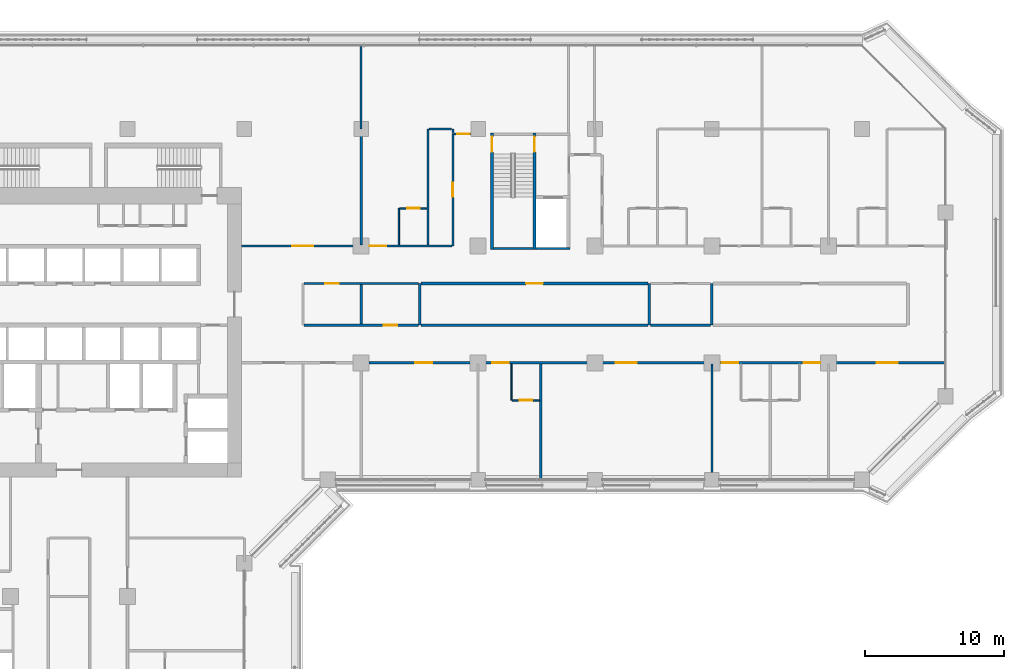
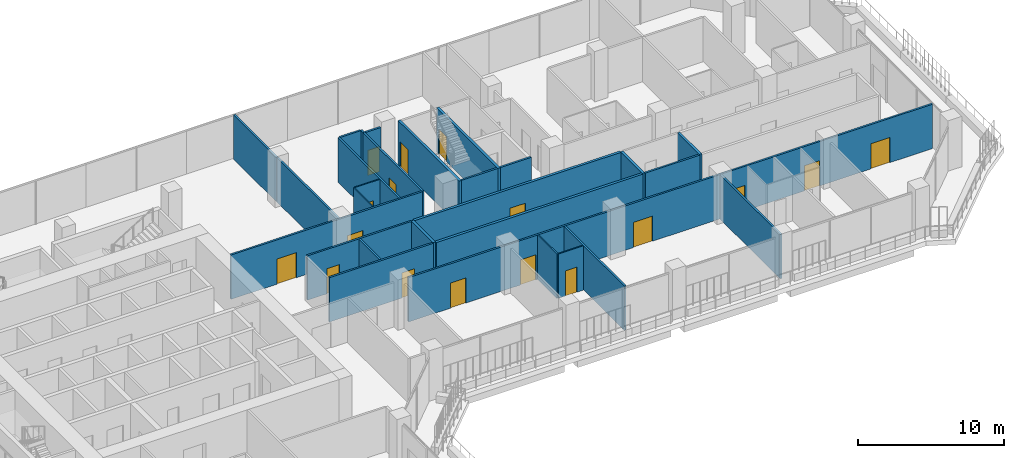
# One storey, part 14 of 23: 28 walls, 17 doors, 17 openings.
"""IFC4 building model written with IfcOpenShell, lengths in metres."""

from ifc_helpers import new_model, si_unit, direction, frame, frame_2d, origin, place, context, subcontext, project, spatial, rectangle, extrude, material, layer, layer_set, type_object, element, fill, save


model = new_model("IFC4")

# Units and contexts
model_context = context("Model", 3, precision=1e-05, world=origin(), true_north=direction((0.0, 1.0)))
body_context = subcontext(model_context, "Body", "Model", "MODEL_VIEW")
ifc_project = project(units=[si_unit("LENGTHUNIT", "METRE"), si_unit("AREAUNIT", "SQUARE_METRE"), si_unit("VOLUMEUNIT", "CUBIC_METRE"), si_unit("PLANEANGLEUNIT", "RADIAN"), si_unit("MASSUNIT", "GRAM", prefix="KILO")], contexts=[model_context])

# Site, building, storey
site_placement = place(None, origin())
site = spatial("IfcSite", under=ifc_project, at=site_placement, CompositionType="ELEMENT")
building_placement = place(site_placement, origin())
building = spatial("IfcBuilding", under=site, at=building_placement, Name="Kawkab Arch Medical Tower", CompositionType="ELEMENT")
storey_placement = place(building_placement, frame((0.0, 0.0, 149.199951171875)))
storey = spatial("IfcBuildingStorey", under=building, at=storey_placement, Name="L34", CompositionType="ELEMENT", Elevation=149.199951171875)

# Wall, opening, door
ifc_material_1 = material(Name="Gypsum board partition on steel studs", Category="steel")
ifc_layer_1 = layer(ifc_material_1, 0.10009765625)
ifc_layer_set_1 = layer_set([ifc_layer_1], Name="Gypsum board partition on steel studs")
wall_type_1 = type_object("IfcWallType", Name="Partition 100", PredefinedType="PARTITIONING", material=ifc_layer_set_1)
wall_1_placement = place(storey_placement, frame((44.449951171875, -19.5, 0.0), z_axis=(0.0, 0.0, 1.0), x_axis=(1.0, 0.0, 0.0)))
wall_1 = element("IfcWall", 1, at=wall_1_placement, inside=storey, type_object=wall_type_1, Name="Partition 100 w005", PredefinedType="PARTITIONING", context=body_context, shape_type="SweptSolid", body=[
    extrude(rectangle(XDim=1.97509765625, YDim=0.10009765625, at=frame_2d((0.987548828125, 0.0))), origin(), (0.0, 0.0, 1.0), 3.699951171875),
])
opening_1_placement = place(wall_1_placement, frame((0.550048828125, 0.0, 0.0)))
opening_1 = element("IfcOpeningElement", 2, at=opening_1_placement, cuts=wall_1, Name="Opening W29-015", PredefinedType="OPENING", context=body_context, shape_type="SweptSolid", body=[
    extrude(rectangle(XDim=0.89990234375, YDim=2.10009765625, at=frame_2d((0.449951171875, 1.050048828125))), frame((0.0, 0.06005859375, 0.0), z_axis=(0.0, -1.0, 0.0), x_axis=(1.0, 0.0, 0.0)), (0.0, 0.0, 1.0), 0.1201171875),
])
ifc_material_2 = material(Name="Timber door leaf", Category="wood")
door_type_1 = type_object("IfcDoorType", Name="Single door 900x2100", OperationType="NOTDEFINED", PredefinedType="DOOR", material=ifc_material_2)
door_1_placement = place(opening_1_placement, origin())
door_1 = element("IfcDoor", 3, at=door_1_placement, inside=storey, type_object=door_type_1, Name="Door W29-015", OperationType="SINGLE_SWING_LEFT", OverallHeight=2.10009765625, OverallWidth=0.89990234375, PredefinedType="DOOR", context=body_context, shape_type="SweptSolid", body=[
    extrude(rectangle(XDim=0.89990234375, YDim=2.10009765625, at=frame_2d((0.449951171875, 1.050048828125))), frame((0.0, 0.02490234375, 0.0), z_axis=(0.0, -1.0, 0.0), x_axis=(1.0, 0.0, 0.0)), (0.0, 0.0, 1.0), 0.050048828125),
])
fill(opening_1, door_1)

wall_2_placement = place(storey_placement, frame((36.35205078125, -5.699951171875, 0.0), z_axis=(0.0, 0.0, 1.0), x_axis=(1.0, 0.0, 0.0)))
wall_2 = element("IfcWall", 4, at=wall_2_placement, inside=storey, type_object=wall_type_1, Name="Partition 100 w007", PredefinedType="PARTITIONING", context=body_context, shape_type="SweptSolid", body=[
    extrude(rectangle(XDim=1.972900390625, YDim=0.10009765625, at=frame_2d((0.986328125, 0.0))), origin(), (0.0, 0.0, 1.0), 3.699951171875),
])
opening_2_placement = place(wall_2_placement, frame((0.549072265625, 0.0, 0.0)))
opening_2 = element("IfcOpeningElement", 5, at=opening_2_placement, cuts=wall_2, Name="Opening W29-009", PredefinedType="OPENING", context=body_context, shape_type="SweptSolid", body=[
    extrude(rectangle(XDim=0.89990234375, YDim=2.10009765625, at=frame_2d((0.449951171875, 1.050048828125))), frame((0.0, 0.06005859375, 0.0), z_axis=(0.0, -1.0, 0.0), x_axis=(1.0, 0.0, 0.0)), (0.0, 0.0, 1.0), 0.1201171875),
])
door_2_placement = place(opening_2_placement, origin())
door_2 = element("IfcDoor", 6, at=door_2_placement, inside=storey, type_object=door_type_1, Name="Door W29-009", OperationType="SINGLE_SWING_RIGHT", OverallHeight=2.10009765625, OverallWidth=0.89990234375, PredefinedType="DOOR", context=body_context, shape_type="SweptSolid", body=[
    extrude(rectangle(XDim=0.89990234375, YDim=2.10009765625, at=frame_2d((0.449951171875, 1.050048828125))), frame((0.0, 0.02490234375, 0.0), z_axis=(0.0, -1.0, 0.0), x_axis=(1.0, 0.0, 0.0)), (0.0, 0.0, 1.0), 0.050048828125),
])
fill(opening_2, door_2)

# Walls
wall_3_placement = place(storey_placement, frame((36.300048828125, -8.324951171875, 0.0), z_axis=(0.0, 0.0, 1.0), x_axis=(0.0, 1.0, 0.0)))
element("IfcWall", 7, at=wall_3_placement, inside=storey, type_object=wall_type_1, Name="Partition 100 w014", PredefinedType="PARTITIONING", context=body_context, shape_type="SweptSolid", body=[
    extrude(rectangle(XDim=2.6240234375, YDim=0.10009765625, at=frame_2d((1.31201171875, 0.0))), origin(), (0.0, 0.0, 1.0), 3.699951171875),
])
wall_4_placement = place(storey_placement, frame((44.39990234375, -19.5, 0.0), z_axis=(0.0, 0.0, 1.0), x_axis=(0.0, 1.0, 0.0)))
element("IfcWall", 8, at=wall_4_placement, inside=storey, type_object=wall_type_1, Name="Partition 100 w015", PredefinedType="PARTITIONING", context=body_context, shape_type="SweptSolid", body=[
    extrude(rectangle(XDim=2.625, YDim=0.10009765625, at=frame_2d((1.3125, 0.0))), origin(), (0.0, 0.0, 1.0), 3.699951171875),
])

# Wall, openings, doors
ifc_material_3 = material(Name="Gypsum board partition on steel studs, mineral wool", Category="steel")
ifc_layer_2 = layer(ifc_material_3, 0.14990234375)
ifc_layer_set_2 = layer_set([ifc_layer_2], Name="Gypsum board partition on steel studs, mineral wool")
wall_type_2 = type_object("IfcWallType", Name="Partition 150", PredefinedType="PARTITIONING", material=ifc_layer_set_2)
wall_5_placement = place(storey_placement, frame((34.175048828125, -16.800048828125, 0.0), z_axis=(0.0, 0.0, 1.0), x_axis=(1.0, 0.0, 0.0)))
wall_5 = element("IfcWall", 9, at=wall_5_placement, inside=storey, type_object=wall_type_2, Name="Partition 150 w037", PredefinedType="PARTITIONING", context=body_context, shape_type="SweptSolid", body=[
    extrude(rectangle(XDim=41.344970703125, YDim=0.14990234375, at=frame_2d((20.67236328125, 0.0))), origin(), (0.0, 0.0, 1.0), 3.699951171875),
])
opening_3_placement = place(wall_5_placement, frame((3.31201171875, 0.0, 0.0)))
opening_3 = element("IfcOpeningElement", 10, at=opening_3_placement, cuts=wall_5, Name="Opening W29-040", PredefinedType="OPENING", context=body_context, shape_type="SweptSolid", body=[
    extrude(rectangle(XDim=1.199951171875, YDim=2.10009765625, at=frame_2d((0.60009765625, 1.050048828125))), frame((0.0, 0.0849609375, 0.0), z_axis=(0.0, -1.0, 0.0), x_axis=(1.0, 0.0, 0.0)), (0.0, 0.0, 1.0), 0.169921875),
])
opening_4_placement = place(wall_5_placement, frame((8.824951171875, 0.0, 0.0)))
opening_4 = element("IfcOpeningElement", 11, at=opening_4_placement, cuts=wall_5, Name="Opening W29-041", PredefinedType="OPENING", context=body_context, shape_type="SweptSolid", body=[
    extrude(rectangle(XDim=1.199951171875, YDim=2.10009765625, at=frame_2d((0.60009765625, 1.050048828125))), frame((0.0, 0.0849609375, 0.0), z_axis=(0.0, -1.0, 0.0), x_axis=(1.0, 0.0, 0.0)), (0.0, 0.0, 1.0), 0.169921875),
])
opening_5_placement = place(wall_5_placement, frame((17.72509765625, 0.0, 0.0)))
opening_5 = element("IfcOpeningElement", 12, at=opening_5_placement, cuts=wall_5, Name="Opening W29-003", PredefinedType="OPENING", context=body_context, shape_type="SweptSolid", body=[
    extrude(rectangle(XDim=1.5, YDim=2.10009765625, at=frame_2d((0.75, 1.050048828125))), frame((0.0, 0.0849609375, 0.0), z_axis=(0.0, -1.0, 0.0), x_axis=(1.0, 0.0, 0.0)), (0.0, 0.0, 1.0), 0.169921875),
])
opening_6_placement = place(wall_5_placement, frame((25.324951171875, 0.0, 0.0)))
opening_6 = element("IfcOpeningElement", 13, at=opening_6_placement, cuts=wall_5, Name="Opening W29-042", PredefinedType="OPENING", context=body_context, shape_type="SweptSolid", body=[
    extrude(rectangle(XDim=1.199951171875, YDim=2.10009765625, at=frame_2d((0.60009765625, 1.050048828125))), frame((0.0, 0.0849609375, 0.0), z_axis=(0.0, -1.0, 0.0), x_axis=(1.0, 0.0, 0.0)), (0.0, 0.0, 1.0), 0.169921875),
])
opening_7_placement = place(wall_5_placement, frame((31.22509765625, 0.0, 0.0)))
opening_7 = element("IfcOpeningElement", 14, at=opening_7_placement, cuts=wall_5, Name="Opening W29-043", PredefinedType="OPENING", context=body_context, shape_type="SweptSolid", body=[
    extrude(rectangle(XDim=1.199951171875, YDim=2.10009765625, at=frame_2d((0.60009765625, 1.050048828125))), frame((0.0, 0.0849609375, 0.0), z_axis=(0.0, -1.0, 0.0), x_axis=(1.0, 0.0, 0.0)), (0.0, 0.0, 1.0), 0.169921875),
])
opening_8_placement = place(wall_5_placement, frame((36.47509765625, 0.0, 0.0)))
opening_8 = element("IfcOpeningElement", 15, at=opening_8_placement, cuts=wall_5, Name="Opening W29-004", PredefinedType="OPENING", context=body_context, shape_type="SweptSolid", body=[
    extrude(rectangle(XDim=1.5, YDim=2.10009765625, at=frame_2d((0.75, 1.050048828125))), frame((0.0, 0.0849609375, 0.0), z_axis=(0.0, -1.0, 0.0), x_axis=(1.0, 0.0, 0.0)), (0.0, 0.0, 1.0), 0.169921875),
])
ifc_material_4 = material(Name="Hollow metal door leaf")
door_type_2 = type_object("IfcDoorType", Name="Double door 1500x2100 FD30S", OperationType="NOTDEFINED", PredefinedType="DOOR", material=ifc_material_4)
door_3_placement = place(opening_5_placement, origin())
door_3 = element("IfcDoor", 16, at=door_3_placement, inside=storey, type_object=door_type_2, Name="Door W29-003", OperationType="DOUBLE_DOOR_SINGLE_SWING", OverallHeight=2.10009765625, OverallWidth=1.5, PredefinedType="DOOR", context=body_context, shape_type="SweptSolid", body=[
    extrude(rectangle(XDim=1.5, YDim=2.10009765625, at=frame_2d((0.75, 1.050048828125))), frame((0.0, 0.02490234375, 0.0), z_axis=(0.0, -1.0, 0.0), x_axis=(1.0, 0.0, 0.0)), (0.0, 0.0, 1.0), 0.050048828125),
])
fill(opening_5, door_3)
door_4_placement = place(opening_8_placement, origin())
door_4 = element("IfcDoor", 17, at=door_4_placement, inside=storey, type_object=door_type_2, Name="Door W29-004", OperationType="DOUBLE_DOOR_SINGLE_SWING", OverallHeight=2.10009765625, OverallWidth=1.5, PredefinedType="DOOR", context=body_context, shape_type="SweptSolid", body=[
    extrude(rectangle(XDim=1.5, YDim=2.10009765625, at=frame_2d((0.75, 1.050048828125))), frame((0.0, 0.02490234375, 0.0), z_axis=(0.0, -1.0, 0.0), x_axis=(1.0, 0.0, 0.0)), (0.0, 0.0, 1.0), 0.050048828125),
])
fill(opening_8, door_4)
ifc_material_5 = material(Name="Hollow metal door leaf")
door_type_3 = type_object("IfcDoorType", Name="Single door 1200x2100 FD30S", OperationType="NOTDEFINED", PredefinedType="DOOR", material=ifc_material_5)
door_5_placement = place(opening_3_placement, origin())
door_5 = element("IfcDoor", 18, at=door_5_placement, inside=storey, type_object=door_type_3, Name="Door W29-040", OperationType="SINGLE_SWING_RIGHT", OverallHeight=2.10009765625, OverallWidth=1.199951171875, PredefinedType="DOOR", context=body_context, shape_type="SweptSolid", body=[
    extrude(rectangle(XDim=1.199951171875, YDim=2.10009765625, at=frame_2d((0.60009765625, 1.050048828125))), frame((0.0, 0.02490234375, 0.0), z_axis=(0.0, -1.0, 0.0), x_axis=(1.0, 0.0, 0.0)), (0.0, 0.0, 1.0), 0.050048828125),
])
fill(opening_3, door_5)
door_6_placement = place(opening_4_placement, origin())
door_6 = element("IfcDoor", 19, at=door_6_placement, inside=storey, type_object=door_type_3, Name="Door W29-041", OperationType="SINGLE_SWING_RIGHT", OverallHeight=2.10009765625, OverallWidth=1.199951171875, PredefinedType="DOOR", context=body_context, shape_type="SweptSolid", body=[
    extrude(rectangle(XDim=1.199951171875, YDim=2.10009765625, at=frame_2d((0.60009765625, 1.050048828125))), frame((0.0, 0.02490234375, 0.0), z_axis=(0.0, -1.0, 0.0), x_axis=(1.0, 0.0, 0.0)), (0.0, 0.0, 1.0), 0.050048828125),
])
fill(opening_4, door_6)
door_7_placement = place(opening_6_placement, origin())
door_7 = element("IfcDoor", 20, at=door_7_placement, inside=storey, type_object=door_type_3, Name="Door W29-042", OperationType="SINGLE_SWING_LEFT", OverallHeight=2.10009765625, OverallWidth=1.199951171875, PredefinedType="DOOR", context=body_context, shape_type="SweptSolid", body=[
    extrude(rectangle(XDim=1.199951171875, YDim=2.10009765625, at=frame_2d((0.60009765625, 1.050048828125))), frame((0.0, 0.02490234375, 0.0), z_axis=(0.0, -1.0, 0.0), x_axis=(1.0, 0.0, 0.0)), (0.0, 0.0, 1.0), 0.050048828125),
])
fill(opening_6, door_7)
door_8_placement = place(opening_7_placement, origin())
door_8 = element("IfcDoor", 21, at=door_8_placement, inside=storey, type_object=door_type_3, Name="Door W29-043", OperationType="SINGLE_SWING_LEFT", OverallHeight=2.10009765625, OverallWidth=1.199951171875, PredefinedType="DOOR", context=body_context, shape_type="SweptSolid", body=[
    extrude(rectangle(XDim=1.199951171875, YDim=2.10009765625, at=frame_2d((0.60009765625, 1.050048828125))), frame((0.0, 0.02490234375, 0.0), z_axis=(0.0, -1.0, 0.0), x_axis=(1.0, 0.0, 0.0)), (0.0, 0.0, 1.0), 0.050048828125),
])
fill(opening_7, door_8)

# Wall, opening, door
wall_6_placement = place(storey_placement, frame((29.47509765625, -14.10009765625, 0.0), z_axis=(0.0, 0.0, 1.0), x_axis=(1.0, 0.0, 0.0)))
wall_6 = element("IfcWall", 22, at=wall_6_placement, inside=storey, type_object=wall_type_2, Name="Partition 150 w038", PredefinedType="PARTITIONING", context=body_context, shape_type="SweptSolid", body=[
    extrude(rectangle(XDim=8.224853515625, YDim=0.14990234375, at=frame_2d((4.1123046875, 0.0))), origin(), (0.0, 0.0, 1.0), 3.699951171875),
])
opening_9_placement = place(wall_6_placement, frame((5.72509765625, 0.0, 0.0)))
opening_9 = element("IfcOpeningElement", 23, at=opening_9_placement, cuts=wall_6, Name="Opening W29-030", PredefinedType="OPENING", context=body_context, shape_type="SweptSolid", body=[
    extrude(rectangle(XDim=1.0, YDim=2.10009765625, at=frame_2d((0.5, 1.050048828125))), frame((0.0, 0.0849609375, 0.0), z_axis=(0.0, -1.0, 0.0), x_axis=(1.0, 0.0, 0.0)), (0.0, 0.0, 1.0), 0.169921875),
])
ifc_material_6 = material(Name="Hollow metal door leaf")
door_type_4 = type_object("IfcDoorType", Name="Single door 1000x2100 FD30S", OperationType="NOTDEFINED", PredefinedType="DOOR", material=ifc_material_6)
door_9_placement = place(opening_9_placement, origin())
door_9 = element("IfcDoor", 24, at=door_9_placement, inside=storey, type_object=door_type_4, Name="Door W29-030", OperationType="SINGLE_SWING_RIGHT", OverallHeight=2.10009765625, OverallWidth=1.0, PredefinedType="DOOR", context=body_context, shape_type="SweptSolid", body=[
    extrude(rectangle(XDim=1.0, YDim=2.10009765625, at=frame_2d((0.5, 1.050048828125))), frame((0.0, 0.02490234375, 0.0), z_axis=(0.0, -1.0, 0.0), x_axis=(1.0, 0.0, 0.0)), (0.0, 0.0, 1.0), 0.050048828125),
])
fill(opening_9, door_9)

# Wall
wall_7_placement = place(storey_placement, frame((54.39990234375, -14.10009765625, 0.0), z_axis=(0.0, 0.0, 1.0), x_axis=(1.0, 0.0, 0.0)))
element("IfcWall", 25, at=wall_7_placement, inside=storey, type_object=wall_type_2, Name="Partition 150 w039", PredefinedType="PARTITIONING", context=body_context, shape_type="SweptSolid", body=[
    extrude(rectangle(XDim=4.300048828125, YDim=0.14990234375, at=frame_2d((2.14990234375, 0.0))), origin(), (0.0, 0.0, 1.0), 3.699951171875),
])

# Wall, opening, door
wall_8_placement = place(storey_placement, frame((29.47509765625, -11.10009765625, 0.0), z_axis=(0.0, 0.0, 1.0), x_axis=(1.0, 0.0, 0.0)))
wall_8 = element("IfcWall", 26, at=wall_8_placement, inside=storey, type_object=wall_type_2, Name="Partition 150 w040", PredefinedType="PARTITIONING", context=body_context, shape_type="SweptSolid", body=[
    extrude(rectangle(XDim=8.224853515625, YDim=0.14990234375, at=frame_2d((4.1123046875, 0.0))), origin(), (0.0, 0.0, 1.0), 3.699951171875),
])
opening_10_placement = place(wall_8_placement, frame((1.52490234375, 0.0, 0.0)))
opening_10 = element("IfcOpeningElement", 27, at=opening_10_placement, cuts=wall_8, Name="Opening W29-029", PredefinedType="OPENING", context=body_context, shape_type="SweptSolid", body=[
    extrude(rectangle(XDim=1.0, YDim=2.10009765625, at=frame_2d((0.5, 1.050048828125))), frame((0.0, 0.0849609375, 0.0), z_axis=(0.0, -1.0, 0.0), x_axis=(1.0, 0.0, 0.0)), (0.0, 0.0, 1.0), 0.169921875),
])
door_10_placement = place(opening_10_placement, origin())
door_10 = element("IfcDoor", 28, at=door_10_placement, inside=storey, type_object=door_type_4, Name="Door W29-029", OperationType="SINGLE_SWING_RIGHT", OverallHeight=2.10009765625, OverallWidth=1.0, PredefinedType="DOOR", context=body_context, shape_type="SweptSolid", body=[
    extrude(rectangle(XDim=1.0, YDim=2.10009765625, at=frame_2d((0.5, 1.050048828125))), frame((0.0, 0.02490234375, 0.0), z_axis=(0.0, -1.0, 0.0), x_axis=(1.0, 0.0, 0.0)), (0.0, 0.0, 1.0), 0.050048828125),
])
fill(opening_10, door_10)

# Wall, openings, doors
wall_9_placement = place(storey_placement, frame((25.0, -8.39990234375, 0.0), z_axis=(0.0, 0.0, 1.0), x_axis=(1.0, 0.0, 0.0)))
wall_9 = element("IfcWall", 29, at=wall_9_placement, inside=storey, type_object=wall_type_2, Name="Partition 150 w042", PredefinedType="PARTITIONING", context=body_context, shape_type="SweptSolid", body=[
    extrude(rectangle(XDim=15.10693359375, YDim=0.14990234375, at=frame_2d((7.553466796875, 0.0))), origin(), (0.0, 0.0, 1.0), 3.699951171875),
])
opening_11_placement = place(wall_9_placement, frame((3.64990234375, 0.0, 0.0)))
opening_11 = element("IfcOpeningElement", 30, at=opening_11_placement, cuts=wall_9, Name="Opening W29-002", PredefinedType="OPENING", context=body_context, shape_type="SweptSolid", body=[
    extrude(rectangle(XDim=1.5, YDim=2.10009765625, at=frame_2d((0.75, 1.050048828125))), frame((0.0, 0.0849609375, 0.0), z_axis=(0.0, -1.0, 0.0), x_axis=(1.0, 0.0, 0.0)), (0.0, 0.0, 1.0), 0.169921875),
])
opening_12_placement = place(wall_9_placement, frame((9.199951171875, 0.0, 0.0)))
opening_12 = element("IfcOpeningElement", 31, at=opening_12_placement, cuts=wall_9, Name="Opening W29-033", PredefinedType="OPENING", context=body_context, shape_type="SweptSolid", body=[
    extrude(rectangle(XDim=1.199951171875, YDim=2.10009765625, at=frame_2d((0.60009765625, 1.050048828125))), frame((0.0, 0.0849609375, 0.0), z_axis=(0.0, -1.0, 0.0), x_axis=(1.0, 0.0, 0.0)), (0.0, 0.0, 1.0), 0.169921875),
])
door_11_placement = place(opening_11_placement, origin())
door_11 = element("IfcDoor", 32, at=door_11_placement, inside=storey, type_object=door_type_2, Name="Door W29-002", OperationType="DOUBLE_DOOR_SINGLE_SWING", OverallHeight=2.10009765625, OverallWidth=1.5, PredefinedType="DOOR", context=body_context, shape_type="SweptSolid", body=[
    extrude(rectangle(XDim=1.5, YDim=2.10009765625, at=frame_2d((0.75, 1.050048828125))), frame((0.0, 0.02490234375, 0.0), z_axis=(0.0, -1.0, 0.0), x_axis=(1.0, 0.0, 0.0)), (0.0, 0.0, 1.0), 0.050048828125),
])
fill(opening_11, door_11)
door_12_placement = place(opening_12_placement, origin())
door_12 = element("IfcDoor", 33, at=door_12_placement, inside=storey, type_object=door_type_3, Name="Door W29-033", OperationType="SINGLE_SWING_RIGHT", OverallHeight=2.10009765625, OverallWidth=1.199951171875, PredefinedType="DOOR", context=body_context, shape_type="SweptSolid", body=[
    extrude(rectangle(XDim=1.199951171875, YDim=2.10009765625, at=frame_2d((0.60009765625, 1.050048828125))), frame((0.0, 0.02490234375, 0.0), z_axis=(0.0, -1.0, 0.0), x_axis=(1.0, 0.0, 0.0)), (0.0, 0.0, 1.0), 0.050048828125),
])
fill(opening_12, door_12)

# Wall, opening, door
wall_10_placement = place(storey_placement, frame((40.277099609375, -0.35009765625, 0.0), z_axis=(0.0, 0.0, 1.0), x_axis=(1.0, 0.0, 0.0)))
wall_10 = element("IfcWall", 34, at=wall_10_placement, inside=storey, type_object=wall_type_2, Name="Partition 150 w046", PredefinedType="PARTITIONING", context=body_context, shape_type="SweptSolid", body=[
    extrude(rectangle(XDim=1.2109375, YDim=0.14990234375, at=frame_2d((0.60546875, 0.0))), origin(), (0.0, 0.0, 1.0), 3.699951171875),
])
opening_13_placement = place(wall_10_placement, frame((0.20703125, 0.0, 0.0)))
opening_13 = element("IfcOpeningElement", 35, at=opening_13_placement, cuts=wall_10, Name="Opening W29-023", PredefinedType="OPENING", context=body_context, shape_type="SweptSolid", body=[
    extrude(rectangle(XDim=0.89990234375, YDim=2.10009765625, at=frame_2d((0.449951171875, 1.050048828125))), frame((0.0, 0.0849609375, 0.0), z_axis=(0.0, -1.0, 0.0), x_axis=(1.0, 0.0, 0.0)), (0.0, 0.0, 1.0), 0.169921875),
])
ifc_material_7 = material(Name="Hollow metal door leaf")
door_type_5 = type_object("IfcDoorType", Name="Single door 900x2100 FD30S", OperationType="NOTDEFINED", PredefinedType="DOOR", material=ifc_material_7)
door_13_placement = place(opening_13_placement, origin())
door_13 = element("IfcDoor", 36, at=door_13_placement, inside=storey, type_object=door_type_5, Name="Door W29-023", OperationType="SINGLE_SWING_LEFT", OverallHeight=2.10009765625, OverallWidth=0.89990234375, PredefinedType="DOOR", context=body_context, shape_type="SweptSolid", body=[
    extrude(rectangle(XDim=0.89990234375, YDim=2.10009765625, at=frame_2d((0.449951171875, 1.050048828125))), frame((0.0, 0.02490234375, 0.0), z_axis=(0.0, -1.0, 0.0), x_axis=(1.0, 0.0, 0.0)), (0.0, 0.0, 1.0), 0.050048828125),
])
fill(opening_13, door_13)

# Walls
wall_11_placement = place(storey_placement, frame((38.47802734375, 0.0, 0.0), z_axis=(0.0, 0.0, 1.0), x_axis=(1.0, 0.0, 0.0)))
element("IfcWall", 37, at=wall_11_placement, inside=storey, type_object=wall_type_2, Name="Partition 150 w047", PredefinedType="PARTITIONING", context=body_context, shape_type="SweptSolid", body=[
    extrude(rectangle(XDim=1.6259765625, YDim=0.14990234375, at=frame_2d((0.81298828125, 0.0))), origin(), (0.0, 0.0, 1.0), 3.699951171875),
])
wall_12_placement = place(storey_placement, frame((33.580078125, 0.02001953125, 0.0), z_axis=(0.0, 0.0, 1.0), x_axis=(0.0, 1.0, 0.0)))
element("IfcWall", 38, at=wall_12_placement, inside=storey, type_object=wall_type_2, Name="Partition 150 w061", PredefinedType="PARTITIONING", context=body_context, shape_type="SweptSolid", body=[
    extrude(rectangle(XDim=5.89990234375, YDim=0.14990234375, at=frame_2d((2.949951171875, 0.0))), origin(), (0.0, 0.0, 1.0), 3.699951171875),
])
wall_13_placement = place(storey_placement, frame((33.60009765625, -14.02490234375, 0.0), z_axis=(0.0, 0.0, 1.0), x_axis=(0.0, 1.0, 0.0)))
element("IfcWall", 39, at=wall_13_placement, inside=storey, type_object=wall_type_2, Name="Partition 150 w063", PredefinedType="PARTITIONING", context=body_context, shape_type="SweptSolid", body=[
    extrude(rectangle(XDim=2.849853515625, YDim=0.14990234375, at=frame_2d((1.4248046875, 0.0))), origin(), (0.0, 0.0, 1.0), 3.699951171875),
])
for number, where, z_axis, x_axis, name in (
    (40, (33.60009765625, -8.324951171875, 0.0), (0.0, 0.0, 1.0), (0.0, 1.0, 0.0), "Partition 150 w064"),
    (41, (38.39990234375, -8.324951171875, 0.0), (0.0, 0.0, 1.0), (0.0, 1.0, 0.0), "Partition 150 w065"),
):
    element("IfcWall", number, at=place(storey_placement, frame(where, z_axis=z_axis, x_axis=x_axis)), inside=storey, type_object=wall_type_2, Name=name, PredefinedType="PARTITIONING", context=body_context, shape_type="SweptSolid", body=[
        extrude(rectangle(XDim=8.322021484375, YDim=0.14990234375, at=frame_2d((4.1611328125, 0.0))), origin(), (0.0, 0.0, 1.0), 3.699951171875),
    ])

# Wall, opening, door
wall_14_placement = place(storey_placement, frame((40.181884765625, -8.39990234375, 0.0), z_axis=(0.0, 0.0, 1.0), x_axis=(0.0, 1.0, 0.0)))
wall_14 = element("IfcWall", 42, at=wall_14_placement, inside=storey, type_object=wall_type_2, Name="Partition 150 w066", PredefinedType="PARTITIONING", context=body_context, shape_type="SweptSolid", body=[
    extrude(rectangle(XDim=8.0498046875, YDim=0.14990234375, at=frame_2d((4.02490234375, 0.0))), origin(), (0.0, 0.0, 1.0), 3.699951171875),
])
opening_14_placement = place(wall_14_placement, frame((3.52490234375, 0.0, 0.0)))
opening_14 = element("IfcOpeningElement", 43, at=opening_14_placement, cuts=wall_14, Name="Opening W29-026", PredefinedType="OPENING", context=body_context, shape_type="SweptSolid", body=[
    extrude(rectangle(XDim=1.0, YDim=2.10009765625, at=frame_2d((0.5, 1.050048828125))), frame((0.0, 0.0849609375, 0.0), z_axis=(0.0, -1.0, 0.0), x_axis=(1.0, 0.0, 0.0)), (0.0, 0.0, 1.0), 0.169921875),
])
door_14_placement = place(opening_14_placement, origin())
door_14 = element("IfcDoor", 44, at=door_14_placement, inside=storey, type_object=door_type_4, Name="Door W29-026", OperationType="SINGLE_SWING_LEFT", OverallHeight=2.10009765625, OverallWidth=1.0, PredefinedType="DOOR", context=body_context, shape_type="SweptSolid", body=[
    extrude(rectangle(XDim=1.0, YDim=2.10009765625, at=frame_2d((0.5, 1.050048828125))), frame((0.0, 0.02490234375, 0.0), z_axis=(0.0, -1.0, 0.0), x_axis=(1.0, 0.0, 0.0)), (0.0, 0.0, 1.0), 0.050048828125),
])
fill(opening_14, door_14)

# Walls
wall_15_placement = place(storey_placement, frame((40.181884765625, -0.330078125, 0.0), z_axis=(0.0, 0.0, 1.0), x_axis=(0.0, 1.0, 0.0)))
element("IfcWall", 45, at=wall_15_placement, inside=storey, type_object=wall_type_2, Name="Partition 150 w067", PredefinedType="PARTITIONING", context=body_context, shape_type="SweptSolid", body=[
    extrude(rectangle(XDim=0.3271484375, YDim=0.14990234375, at=frame_2d((0.16357421875, 0.0))), origin(), (0.0, 0.0, 1.0), 3.699951171875),
])
for number, where, z_axis, x_axis, name in (
    (46, (46.5, -25.1201171875, 0.0), (0.0, 0.0, 1.0), (0.0, 1.0, 0.0), "Partition 150 w069"),
    (47, (58.800048828125, -25.1201171875, 0.0), (0.0, 0.0, 1.0), (0.0, 1.0, 0.0), "Partition 150 w075"),
):
    element("IfcWall", number, at=place(storey_placement, frame(where, z_axis=z_axis, x_axis=x_axis)), inside=storey, type_object=wall_type_2, Name=name, PredefinedType="PARTITIONING", context=body_context, shape_type="SweptSolid", body=[
        extrude(rectangle(XDim=8.2451171875, YDim=0.14990234375, at=frame_2d((4.12255859375, 0.0))), origin(), (0.0, 0.0, 1.0), 3.699951171875),
    ])
ifc_material_8 = material(Name="Fire-rated gypsum board partition on steel studs", Category="steel")
ifc_layer_3 = layer(ifc_material_8, 0.199951171875)
ifc_layer_set_3 = layer_set([ifc_layer_3], Name="Fire-rated gypsum board partition on steel studs")
wall_type_3 = type_object("IfcWallType", Name="Protected partition 200", PredefinedType="PARTITIONING", material=ifc_layer_set_3)
wall_16_placement = place(storey_placement, frame((37.89990234375, -14.10009765625, 0.0), z_axis=(0.0, 0.0, 1.0), x_axis=(1.0, 0.0, 0.0)))
element("IfcWall", 48, at=wall_16_placement, inside=storey, type_object=wall_type_3, Name="Protected partition 200 w084", PredefinedType="PARTITIONING", context=body_context, shape_type="SweptSolid", body=[
    extrude(rectangle(XDim=16.300048828125, YDim=0.199951171875, at=frame_2d((8.14990234375, 0.0))), origin(), (0.0, 0.0, 1.0), 3.699951171875),
])

# Wall, opening, door
wall_17_placement = place(storey_placement, frame((37.89990234375, -11.10009765625, 0.0), z_axis=(0.0, 0.0, 1.0), x_axis=(1.0, 0.0, 0.0)))
wall_17 = element("IfcWall", 49, at=wall_17_placement, inside=storey, type_object=wall_type_3, Name="Protected partition 200 w086", PredefinedType="PARTITIONING", context=body_context, shape_type="SweptSolid", body=[
    extrude(rectangle(XDim=16.300048828125, YDim=0.199951171875, at=frame_2d((8.14990234375, 0.0))), origin(), (0.0, 0.0, 1.0), 3.699951171875),
])
opening_15_placement = place(wall_17_placement, frame((7.550048828125, 0.0, 0.0)))
opening_15 = element("IfcOpeningElement", 50, at=opening_15_placement, cuts=wall_17, Name="Opening W29-048", PredefinedType="OPENING", context=body_context, shape_type="SweptSolid", body=[
    extrude(rectangle(XDim=1.199951171875, YDim=2.10009765625, at=frame_2d((0.60009765625, 1.050048828125))), frame((0.0, 0.10986328125, 0.0), z_axis=(0.0, -1.0, 0.0), x_axis=(1.0, 0.0, 0.0)), (0.0, 0.0, 1.0), 0.219970703125),
])
ifc_material_9 = material(Name="Hollow metal door leaf")
door_type_6 = type_object("IfcDoorType", Name="Single door 1200x2100 FD60", OperationType="NOTDEFINED", PredefinedType="DOOR", material=ifc_material_9)
door_15_placement = place(opening_15_placement, origin())
door_15 = element("IfcDoor", 51, at=door_15_placement, inside=storey, type_object=door_type_6, Name="Door W29-048", OperationType="SINGLE_SWING_LEFT", OverallHeight=2.10009765625, OverallWidth=1.199951171875, PredefinedType="DOOR", context=body_context, shape_type="SweptSolid", body=[
    extrude(rectangle(XDim=1.199951171875, YDim=2.10009765625, at=frame_2d((0.60009765625, 1.050048828125))), frame((0.0, 0.02490234375, 0.0), z_axis=(0.0, -1.0, 0.0), x_axis=(1.0, 0.0, 0.0)), (0.0, 0.0, 1.0), 0.050048828125),
])
fill(opening_15, door_15)

# Walls
for number, where, z_axis, x_axis, name in (
    (52, (37.800048828125, -14.10009765625, 0.0), (0.0, 0.0, 1.0), (0.0, 1.0, 0.0), "Protected partition 200 w090"),
    (53, (54.300048828125, -14.10009765625, 0.0), (0.0, 0.0, 1.0), (0.0, 1.0, 0.0), "Protected partition 200 w091"),
    (54, (58.800048828125, -14.10009765625, 0.0), (0.0, 0.0, 1.0), (0.0, 1.0, 0.0), "Protected partition 200 w092"),
):
    element("IfcWall", number, at=place(storey_placement, frame(where, z_axis=z_axis, x_axis=x_axis)), inside=storey, type_object=wall_type_3, Name=name, PredefinedType="PARTITIONING", context=body_context, shape_type="SweptSolid", body=[
        extrude(rectangle(XDim=3.0, YDim=0.199951171875, at=frame_2d((1.5, 0.0))), origin(), (0.0, 0.0, 1.0), 3.699951171875),
    ])
ifc_material_10 = material(Name="Concrete C50/60", Category="concrete")
ifc_layer_4 = layer(ifc_material_10, 0.14990234375)
ifc_layer_set_4 = layer_set([ifc_layer_4], Name="Concrete C50/60")
wall_type_4 = type_object("IfcWallType", Name="Stair enclosure wall 150 C50/60", PredefinedType="SHEAR", material=ifc_layer_set_4)
wall_18_placement = place(storey_placement, frame((43.10009765625, -8.574951171875, 0.0), z_axis=(0.0, 0.0, 1.0), x_axis=(1.0, 0.0, 0.0)))
element("IfcWall", 55, at=wall_18_placement, inside=storey, type_object=wall_type_4, Name="L34 stair enclosure wall", PredefinedType="SHEAR", context=body_context, shape_type="SweptSolid", body=[
    extrude(rectangle(XDim=2.849853515625, YDim=0.14990234375, at=frame_2d((1.4248046875, 0.0))), origin(), (0.0, 0.0, 1.0), 3.699951171875),
])
wall_19_placement = place(storey_placement, frame((46.14990234375, -8.574951171875, 0.0), z_axis=(0.0, 0.0, 1.0), x_axis=(1.0, 0.0, 0.0)))
element("IfcWall", 56, at=wall_19_placement, inside=storey, type_object=wall_type_4, Name="L34 stair enclosure wall", PredefinedType="SHEAR", context=body_context, shape_type="SweptSolid", body=[
    extrude(rectangle(XDim=2.4501953125, YDim=0.14990234375, at=frame_2d((1.22509765625, 0.0))), origin(), (0.0, 0.0, 1.0), 3.699951171875),
])

# Wall, opening, door
ifc_material_11 = material(Name="Concrete C50/60", Category="concrete")
ifc_layer_5 = layer(ifc_material_11, 0.199951171875)
ifc_layer_set_5 = layer_set([ifc_layer_5], Name="Concrete C50/60")
wall_type_5 = type_object("IfcWallType", Name="Stair enclosure wall 200 C50/60", PredefinedType="SHEAR", material=ifc_layer_set_5)
wall_20_placement = place(storey_placement, frame((43.0, -8.64990234375, 0.0), z_axis=(0.0, 0.0, 1.0), x_axis=(0.0, 1.0, 0.0)))
wall_20 = element("IfcWall", 57, at=wall_20_placement, inside=storey, type_object=wall_type_5, Name="L34 stair enclosure wall", PredefinedType="SHEAR", context=body_context, shape_type="SweptSolid", body=[
    extrude(rectangle(XDim=8.349853515625, YDim=0.199951171875, at=frame_2d((4.1748046875, 0.0))), origin(), (0.0, 0.0, 1.0), 3.699951171875),
])
opening_16_placement = place(wall_20_placement, frame((7.0, 0.0, 0.0)))
opening_16 = element("IfcOpeningElement", 58, at=opening_16_placement, cuts=wall_20, Name="Opening SD", PredefinedType="OPENING", context=body_context, shape_type="SweptSolid", body=[
    extrude(rectangle(XDim=1.10009765625, YDim=2.10009765625, at=frame_2d((0.550048828125, 1.050048828125))), frame((0.0, 0.10986328125, 0.0), z_axis=(0.0, -1.0, 0.0), x_axis=(1.0, 0.0, 0.0)), (0.0, 0.0, 1.0), 0.219970703125),
])
ifc_material_12 = material(Name="Hollow metal fire door leaf")
door_type_7 = type_object("IfcDoorType", Name="Exit stair door 1100", OperationType="SINGLE_SWING_LEFT", PredefinedType="DOOR", material=ifc_material_12)
door_16_placement = place(opening_16_placement, frame((1.10009765625, 0.0, 0.0), z_axis=(0.0, 0.0, 1.0), x_axis=(-1.0, 0.0, 0.0)))
door_16 = element("IfcDoor", 59, at=door_16_placement, inside=storey, type_object=door_type_7, Name="L34 Exit stair ST5 door", OperationType="SINGLE_SWING_LEFT", OverallHeight=2.10009765625, OverallWidth=1.10009765625, PredefinedType="DOOR", context=body_context, shape_type="SweptSolid", body=[
    extrude(rectangle(XDim=1.10009765625, YDim=2.10009765625, at=frame_2d((0.550048828125, 1.050048828125))), frame((0.0, 0.02490234375, 0.0), z_axis=(0.0, -1.0, 0.0), x_axis=(1.0, 0.0, 0.0)), (0.0, 0.0, 1.0), 0.050048828125),
])
fill(opening_16, door_16)

wall_21_placement = place(storey_placement, frame((46.050048828125, -8.64990234375, 0.0), z_axis=(0.0, 0.0, 1.0), x_axis=(0.0, 1.0, 0.0)))
wall_21 = element("IfcWall", 60, at=wall_21_placement, inside=storey, type_object=wall_type_5, Name="L34 stair enclosure wall", PredefinedType="SHEAR", context=body_context, shape_type="SweptSolid", body=[
    extrude(rectangle(XDim=8.349853515625, YDim=0.199951171875, at=frame_2d((4.1748046875, 0.0))), origin(), (0.0, 0.0, 1.0), 3.699951171875),
])
opening_17_placement = place(wall_21_placement, frame((7.0, 0.0, 0.0)))
opening_17 = element("IfcOpeningElement", 61, at=opening_17_placement, cuts=wall_21, Name="Opening SD", PredefinedType="OPENING", context=body_context, shape_type="SweptSolid", body=[
    extrude(rectangle(XDim=1.10009765625, YDim=2.10009765625, at=frame_2d((0.550048828125, 1.050048828125))), frame((0.0, 0.10986328125, 0.0), z_axis=(0.0, -1.0, 0.0), x_axis=(1.0, 0.0, 0.0)), (0.0, 0.0, 1.0), 0.219970703125),
])
door_17_placement = place(opening_17_placement, origin())
door_17 = element("IfcDoor", 62, at=door_17_placement, inside=storey, type_object=door_type_7, Name="L34 Exit stair ST5 lobby door", OperationType="SINGLE_SWING_LEFT", OverallHeight=2.10009765625, OverallWidth=1.10009765625, PredefinedType="DOOR", context=body_context, shape_type="SweptSolid", body=[
    extrude(rectangle(XDim=1.10009765625, YDim=2.10009765625, at=frame_2d((0.550048828125, 1.050048828125))), frame((0.0, 0.02490234375, 0.0), z_axis=(0.0, -1.0, 0.0), x_axis=(1.0, 0.0, 0.0)), (0.0, 0.0, 1.0), 0.050048828125),
])
fill(opening_17, door_17)

save(model, "model.ifc")
